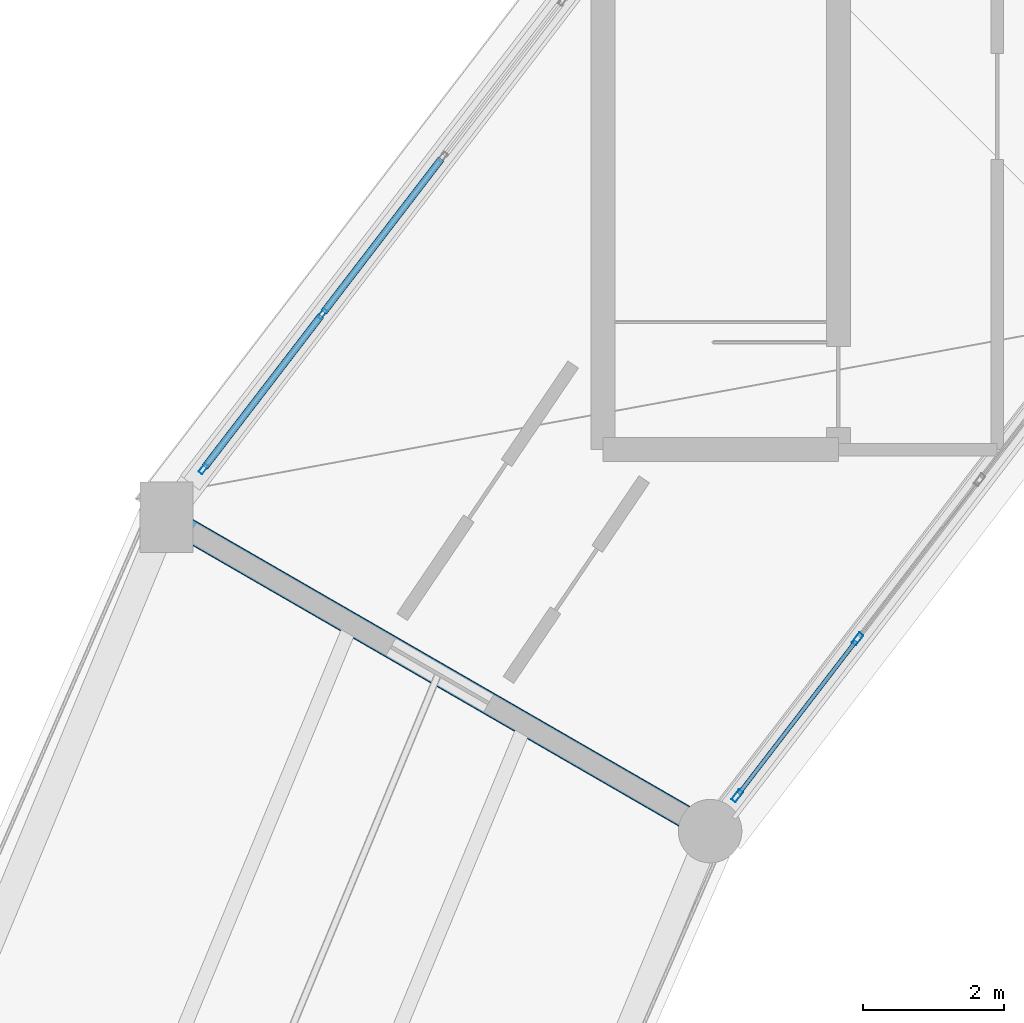
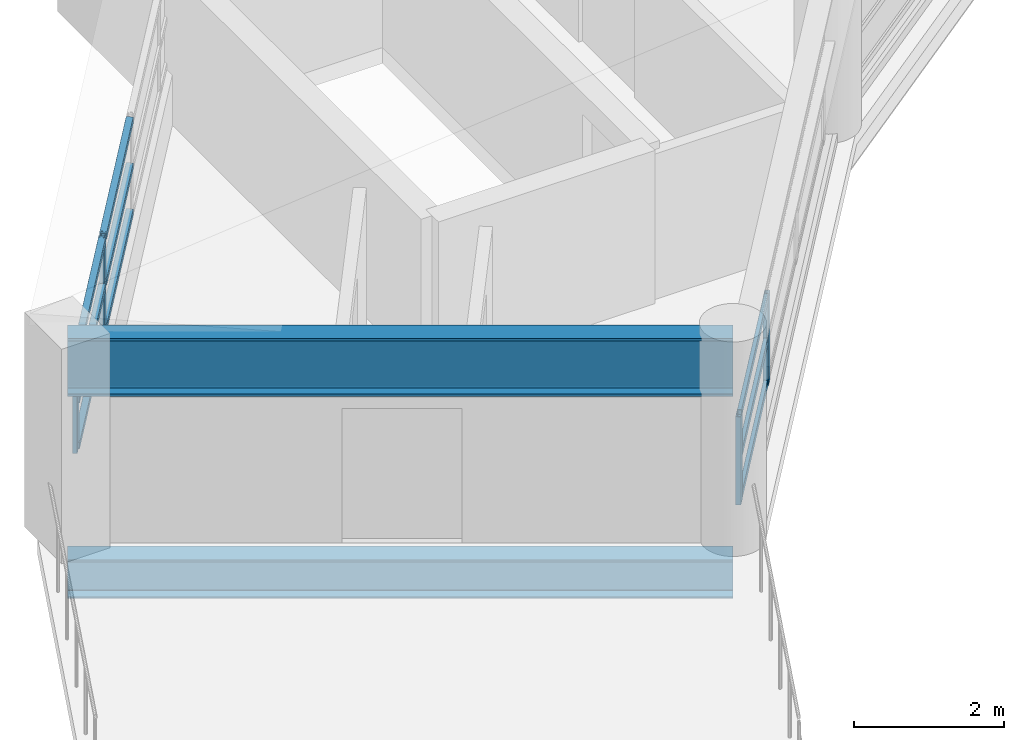
# One storey, part 2 of 12: 13 members, 2 beams, 2 elements without a shape of their own.
"""IFC4 building model written with IfcOpenShell, lengths in metres."""

import ifcopenshell
import ifcopenshell.guid

model = None  # the IFC model being written
_history = None  # IfcOwnerHistory: only IFC2X3 demands one
_inside = {}  # id of a spatial element -> (the spatial element, [elements in it])
_under = {}  # id of a project, library or spatial element -> (it, [spatial elements below it])
_declared = {}  # id of a project -> (the project, [libraries it declares])
_typed = {}  # id of a type object -> (the type object, [elements of that type])
_made_of = {}  # id of a material, layer set ... -> (it, [elements and type objects made of it])


def new_model(schema):
    """Start an empty IFC model of exactly this schema.

    Asked for "IFC4X3", IfcOpenShell would pick the latest addendum, in which some entities
    have other attributes; the version numbers below select the first issue.
    IFC2X3 requires an IfcOwnerHistory on every rooted entity: one is made here for all.
    """
    global model, _history
    if schema == "IFC4X3":
        model = ifcopenshell.file(schema_version=(4, 3, 0, 0))
    else:
        model = ifcopenshell.file(schema=schema)
    _inside.clear()
    _under.clear()
    _declared.clear()
    _typed.clear()
    _made_of.clear()
    _history = None
    if model.schema == "IFC2X3":
        org = make("IfcOrganization", Name="unknown")
        user = make(
            "IfcPersonAndOrganization",
            ThePerson=make("IfcPerson", FamilyName="unknown"),
            TheOrganization=org,
        )
        app = make(
            "IfcApplication",
            ApplicationDeveloper=org,
            Version="unknown",
            ApplicationFullName="unknown",
            ApplicationIdentifier="unknown",
        )
        _history = make(
            "IfcOwnerHistory",
            OwningUser=user,
            OwningApplication=app,
            ChangeAction="ADDED",
            CreationDate=0,
        )
    return model


def make(cls, **values):
    """One entity of the class cls with the attributes given. An attribute that is None is left unset."""
    return model.create_entity(
        cls, **{name: value for name, value in values.items() if value is not None}
    )


def rooted(cls, **values):
    """An entity with a GlobalId (a new one), such as an element, a storey or a relation."""
    return make(cls, GlobalId=ifcopenshell.guid.new(), OwnerHistory=_history, **values)


def si_unit(unit_type, name, prefix=None):
    """IfcSIUnit, for example si_unit("LENGTHUNIT", "METRE", prefix="MILLI")."""
    return make("IfcSIUnit", UnitType=unit_type, Prefix=prefix, Name=name)


def assignment(units):
    """IfcUnitAssignment: the units of a project."""
    return None if units is None else make("IfcUnitAssignment", Units=units)


def point(xyz):
    """IfcCartesianPoint."""
    return None if xyz is None else make("IfcCartesianPoint", Coordinates=xyz)


def direction(xyz):
    """IfcDirection."""
    return None if xyz is None else make("IfcDirection", DirectionRatios=xyz)


def frame(location, z_axis=None, x_axis=None):
    """IfcAxis2Placement3D, a coordinate frame: its origin and axes. An axis left out is left unset."""
    return make(
        "IfcAxis2Placement3D",
        Location=point(location),
        Axis=direction(z_axis),
        RefDirection=direction(x_axis),
    )


def frame_2d(location, x_axis=None):
    """IfcAxis2Placement2D, a coordinate frame in the plane: its origin and x axis."""
    return make(
        "IfcAxis2Placement2D", Location=point(location), RefDirection=direction(x_axis)
    )


def origin():
    """The frame at (0, 0, 0) with its axes left unset."""
    return frame((0.0, 0.0, 0.0))


def origin_2d():
    """The frame at (0, 0) in the plane with its x axis left unset."""
    return frame_2d((0.0, 0.0))


def place(relative_to, where):
    """IfcLocalPlacement: puts the frame where relative to a parent placement (None: the world)."""
    return make(
        "IfcLocalPlacement", PlacementRelTo=relative_to, RelativePlacement=where
    )


def context(
    kind, dimensions, precision=None, world=None, true_north=None, identifier=None
):
    """IfcGeometricRepresentationContext, for example the 3D "Model" context."""
    return make(
        "IfcGeometricRepresentationContext",
        ContextIdentifier=identifier,
        ContextType=kind,
        CoordinateSpaceDimension=dimensions,
        Precision=precision,
        WorldCoordinateSystem=world,
        TrueNorth=true_north,
    )


def subcontext(parent, identifier, kind, view, scale=None):
    """IfcGeometricRepresentationSubContext, for example "Body" below "Model"."""
    return make(
        "IfcGeometricRepresentationSubContext",
        ContextIdentifier=identifier,
        ContextType=kind,
        ParentContext=parent,
        TargetScale=scale,
        TargetView=view,
    )


def project(units=None, contexts=None):
    """IfcProject with its units and contexts."""
    return rooted(
        "IfcProject",
        Name="project",
        RepresentationContexts=contexts,
        UnitsInContext=assignment(units),
    )


def spatial(cls, under=None, at=None, **own):
    """A site, building, storey or space (cls), placed at a placement, below another one or the project."""
    s = rooted(cls, ObjectPlacement=at, **own)
    if under is not None:
        _under.setdefault(under.id(), (under, []))[1].append(s)
    return s


def profile(cls, at=None, kind="AREA", **sizes):
    """A parametric profile (cls). Its sizes go by their IFC names, for example OverallWidth=200.0."""
    return make(cls, ProfileType=kind, Position=at, **sizes)


def hollow_rectangle(**sizes):
    """IfcRectangleHollowProfileDef."""
    return profile("IfcRectangleHollowProfileDef", **sizes)


def i_section(**sizes):
    """IfcIShapeProfileDef."""
    return profile("IfcIShapeProfileDef", **sizes)


def extrude(swept, where, along, depth):
    """IfcExtrudedAreaSolid: the profile swept, set in the frame where, extruded along a direction by depth."""
    return make(
        "IfcExtrudedAreaSolid",
        SweptArea=swept,
        Position=where,
        ExtrudedDirection=direction(along),
        Depth=depth,
    )


def shape(context_of_items, identifier, shape_type, items):
    """IfcShapeRepresentation: the items that make up one representation, for example the "Body"."""
    return make(
        "IfcShapeRepresentation",
        ContextOfItems=context_of_items,
        RepresentationIdentifier=identifier,
        RepresentationType=shape_type,
        Items=items,
    )


def material(Name=None, Category=None):
    """IfcMaterial."""
    return make("IfcMaterial", Name=Name, Category=Category)


def layer(
    of_material, thickness, ventilated=None, Name=None, Category=None, Priority=None
):
    """IfcMaterialLayer: one layer of a wall or slab, of a material (None: an air gap)."""
    return make(
        "IfcMaterialLayer",
        Material=of_material,
        LayerThickness=thickness,
        IsVentilated=ventilated,
        Name=Name,
        Category=Category,
        Priority=Priority,
    )


def layer_set(layers, Name=None):
    """IfcMaterialLayerSet."""
    return make("IfcMaterialLayerSet", MaterialLayers=layers, LayerSetName=Name)


def material_profile(
    of_material, cross_section, Name=None, Category=None, Priority=None
):
    """IfcMaterialProfile: a cross section and its material."""
    return make(
        "IfcMaterialProfile",
        Name=Name,
        Material=of_material,
        Profile=cross_section,
        Priority=Priority,
        Category=Category,
    )


def profile_set(profiles, Name=None, composite=None):
    """IfcMaterialProfileSet."""
    return make(
        "IfcMaterialProfileSet",
        Name=Name,
        MaterialProfiles=profiles,
        CompositeProfile=composite,
    )


def made_of(thing, what):
    """Note that an element or type object is made of a material, layer set ...; save() writes the relation."""
    if what is not None:
        _made_of.setdefault(what.id(), (what, []))[1].append(thing)
    return thing


def type_object(cls, material=None, **own):
    """A type object (cls), such as IfcWallType, which elements share."""
    return made_of(rooted(cls, **own), material)


def element(
    cls,
    number,
    at=None,
    inside=None,
    cuts=None,
    type_object=None,
    material=None,
    context=None,
    identifier="Body",
    shape_type=None,
    held_by="IfcProductDefinitionShape",
    body=None,
    shapes=None,
    **own,
):
    """One element of the class cls, such as IfcWall. Its Tag is "e" and its number.

    at: its placement. inside: the storey or other place that contains it. cuts: it is an
    opening in that element (IfcRelVoidsElement). A single representation is given by context,
    identifier, shape_type and body (its items); several are given by shapes. held_by: the class
    of the entity that holds the representations. save() writes the other relations.
    """
    e = rooted(cls, Tag="e%d" % number, ObjectPlacement=at, **own)
    if body is not None:
        shapes = [shape(context, identifier, shape_type, body)]
    if shapes is not None:
        e.Representation = make(held_by, Representations=shapes)
    if inside is not None:
        _inside.setdefault(inside.id(), (inside, []))[1].append(e)
    if cuts is not None:
        rooted(
            "IfcRelVoidsElement", RelatingBuildingElement=cuts, RelatedOpeningElement=e
        )
    if type_object is not None:
        _typed.setdefault(type_object.id(), (type_object, []))[1].append(e)
    return made_of(e, material)


def aggregate(whole, parts):
    """IfcRelAggregates: a whole, such as a stair, and the parts it consists of."""
    return rooted("IfcRelAggregates", RelatingObject=whole, RelatedObjects=parts)


def save(model, path):
    """Write the relations noted so far, then the file.

    IfcRelAggregates (storeys below a building ...), IfcRelContainedInSpatialStructure (elements
    in a storey), IfcRelDefinesByType, IfcRelAssociatesMaterial and IfcRelDeclares: one each for
    every whole, place, type object, material and project.
    """
    for whole, parts in _under.values():
        aggregate(whole, parts)
    for where, things in _inside.values():
        rooted(
            "IfcRelContainedInSpatialStructure",
            RelatedElements=things,
            RelatingStructure=where,
        )
    for kind, things in _typed.values():
        rooted("IfcRelDefinesByType", RelatedObjects=things, RelatingType=kind)
    for what, things in _made_of.values():
        rooted("IfcRelAssociatesMaterial", RelatedObjects=things, RelatingMaterial=what)
    for by, libraries in _declared.values():
        rooted("IfcRelDeclares", RelatingContext=by, RelatedDefinitions=libraries)
    model.write(path)


model = new_model("IFC4")

# Units and contexts
model_context = context("Model", 3, precision=1e-05, world=origin(), true_north=direction((0.0, 1.0)))
body_context = subcontext(model_context, "Body", "Model", "MODEL_VIEW")
ifc_project = project(units=[si_unit("LENGTHUNIT", "METRE"), si_unit("AREAUNIT", "SQUARE_METRE"), si_unit("VOLUMEUNIT", "CUBIC_METRE"), si_unit("PLANEANGLEUNIT", "RADIAN"), si_unit("MASSUNIT", "GRAM", prefix="KILO")], contexts=[model_context])

# Site, building, storey
site_placement = place(None, origin())
site = spatial("IfcSite", under=ifc_project, at=site_placement, CompositionType="ELEMENT")
building_placement = place(site_placement, origin())
building = spatial("IfcBuilding", under=site, at=building_placement, Name="Vespera Passage Community Centre", CompositionType="ELEMENT")
storey_placement = place(building_placement, frame((0.0, 0.0, 24.300048828125)))
storey = spatial("IfcBuildingStorey", under=building, at=storey_placement, Name="ROOF", CompositionType="ELEMENT", Elevation=24.300048828125)

# Beam
ifc_material_1 = material(Name="Steel ASTM A992 Grade 50", Category="steel")
ifc_material_profile_1 = material_profile(ifc_material_1, i_section(OverallWidth=0.32763671875, OverallDepth=0.62841796875, WebThickness=0.0166015625, FlangeThickness=0.027587890625, FilletRadius=0.0126953125, at=origin_2d()), Name="W24X146")
ifc_profile_set_1 = profile_set([ifc_material_profile_1], Name="Steel ASTM A992 Grade 50")
beam_type_1 = type_object("IfcBeamType", Name="BM-G-W24X146", PredefinedType="BEAM", material=ifc_profile_set_1)
beam_1_placement = place(storey_placement, frame((45.783935546875, 84.10009765625, -0.57421875), z_axis=(-0.866031643847, 0.499989191739, 0.0), x_axis=(-0.499989191739, -0.866031643847, 0.0)))
element("IfcBeam", 1, at=beam_1_placement, inside=storey, type_object=beam_type_1, Name="V4 ROOF Radial Girder 10", PredefinedType="BEAM", context=body_context, shape_type="SweptSolid", body=[
    extrude(i_section(OverallWidth=0.32763671875, OverallDepth=0.62841796875, WebThickness=0.0166015625, FlangeThickness=0.027587890625, FilletRadius=0.0126953125, at=origin_2d()), origin(), (0.0, 0.0, 1.0), 8.900146484375),
])

# Curtain wall, members
ifc_material_2 = material(Name="Anodized aluminium 6063-T6", Category="aluminium")
ifc_layer_1 = layer(ifc_material_2, 0.159912109375)
ifc_layer_set_1 = layer_set([ifc_layer_1], Name="Anodized aluminium 6063-T6")
curtain_wall_type_1 = type_object("IfcCurtainWallType", Name="CW-81E", PredefinedType="NOTDEFINED", material=ifc_layer_set_1)
curtain_wall_1_placement = place(storey_placement, origin())
curtain_wall_1 = element("IfcCurtainWall", 2, at=curtain_wall_1_placement, inside=storey, type_object=curtain_wall_type_1, Name="V4 ROOF Outer Ribbon Curtain Wall 9", PredefinedType="NOTDEFINED")
ifc_material_3 = material(Name="Anodized aluminium 6063-T6", Category="aluminium")
ifc_material_profile_2 = material_profile(ifc_material_3, hollow_rectangle(XDim=0.06494140625, YDim=0.14990234375, WallThickness=0.00390625, InnerFilletRadius=0.001953125, OuterFilletRadius=0.00390625, at=origin_2d()), Name="ALU150X65X4")
ifc_profile_set_2 = profile_set([ifc_material_profile_2], Name="Anodized aluminium 6063-T6")
member_type_1 = type_object("IfcMemberType", Name="MB-CWM-150E", PredefinedType="MULLION", material=ifc_profile_set_2)
member_1_placement = place(storey_placement, frame((38.601806640625, 89.235107421875, 0.820068359375), z_axis=(0.0, 0.0, 1.0), x_axis=(-0.793350429062, 0.608765222978, 0.0)))
member_1 = element("IfcMember", 3, at=member_1_placement, type_object=member_type_1, Name="CW-81E mullion 1", PredefinedType="MULLION", context=body_context, shape_type="SweptSolid", body=[
    extrude(hollow_rectangle(XDim=0.06494140625, YDim=0.14990234375, WallThickness=0.00390625, InnerFilletRadius=0.001953125, OuterFilletRadius=0.00390625, at=origin_2d()), origin(), (0.0, 0.0, 1.0), 1.599853515625),
])
member_2_placement = place(storey_placement, frame((40.287109375, 91.431396484375, 0.820068359375), z_axis=(0.0, 0.0, 1.0), x_axis=(-0.793350429062, 0.608765222978, 0.0)))
member_2 = element("IfcMember", 4, at=member_2_placement, type_object=member_type_1, Name="CW-81E mullion 2", PredefinedType="MULLION", context=body_context, shape_type="SweptSolid", body=[
    extrude(hollow_rectangle(XDim=0.06494140625, YDim=0.14990234375, WallThickness=0.00390625, InnerFilletRadius=0.001953125, OuterFilletRadius=0.00390625, at=origin_2d()), origin(), (0.0, 0.0, 1.0), 1.599853515625),
])

ifc_material_4 = material(Name="Anodized aluminium 6063-T6", Category="aluminium")
ifc_layer_2 = layer(ifc_material_4, 0.159912109375)
ifc_layer_set_2 = layer_set([ifc_layer_2], Name="Anodized aluminium 6063-T6")
curtain_wall_type_2 = type_object("IfcCurtainWallType", Name="CW-82E", PredefinedType="NOTDEFINED", material=ifc_layer_set_2)
curtain_wall_2_placement = place(storey_placement, origin())
curtain_wall_2 = element("IfcCurtainWall", 5, at=curtain_wall_2_placement, inside=storey, type_object=curtain_wall_type_2, Name="V4 ROOF Inner Court Curtain Wall 9", PredefinedType="NOTDEFINED")
ifc_material_5 = material(Name="Anodized aluminium 6063-T6", Category="aluminium")
ifc_material_profile_3 = material_profile(ifc_material_5, hollow_rectangle(XDim=0.074951171875, YDim=0.179931640625, WallThickness=0.0048828125, InnerFilletRadius=0.00244140625, OuterFilletRadius=0.0048828125, at=origin_2d()), Name="ALU180X75X5")
ifc_profile_set_3 = profile_set([ifc_material_profile_3], Name="Anodized aluminium 6063-T6")
member_type_2 = type_object("IfcMemberType", Name="MB-CWM-180E", PredefinedType="MULLION", material=ifc_profile_set_3)
member_3_placement = place(storey_placement, frame((47.874755859375, 86.824951171875, 0.14990234375), z_axis=(0.0, 0.0, 1.0), x_axis=(0.793358205999, -0.608755087843, 0.0)))
member_3 = element("IfcMember", 6, at=member_3_placement, type_object=member_type_2, Name="CW-82E mullion 3", PredefinedType="MULLION", context=body_context, shape_type="SweptSolid", body=[
    extrude(hollow_rectangle(XDim=0.074951171875, YDim=0.179931640625, WallThickness=0.0048828125, InnerFilletRadius=0.00244140625, OuterFilletRadius=0.0048828125, at=origin_2d()), origin(), (0.0, 0.0, 1.0), 1.439697265625),
])
member_4_placement = place(storey_placement, frame((46.167724609375, 84.600341796875, 0.14990234375), z_axis=(0.0, 0.0, 1.0), x_axis=(0.793358205999, -0.608755087843, 0.0)))
member_4 = element("IfcMember", 7, at=member_4_placement, type_object=member_type_2, Name="CW-82E mullion 4", PredefinedType="MULLION", context=body_context, shape_type="SweptSolid", body=[
    extrude(hollow_rectangle(XDim=0.074951171875, YDim=0.179931640625, WallThickness=0.0048828125, InnerFilletRadius=0.00244140625, OuterFilletRadius=0.0048828125, at=origin_2d()), origin(), (0.0, 0.0, 1.0), 1.439697265625),
])

# Member
ifc_material_6 = material(Name="Anodized aluminium 6063-T6", Category="aluminium")
ifc_material_profile_4 = material_profile(ifc_material_6, hollow_rectangle(XDim=0.10009765625, YDim=0.10009765625, WallThickness=0.00390625, InnerFilletRadius=0.001953125, OuterFilletRadius=0.00390625, at=origin_2d()), Name="ALU100X100X4")
ifc_profile_set_4 = profile_set([ifc_material_profile_4], Name="Anodized aluminium 6063-T6")
member_type_3 = type_object("IfcMemberType", Name="MB-CWT-100E", PredefinedType="USERDEFINED", material=ifc_profile_set_4)
member_5_placement = place(storey_placement, frame((38.62158203125, 89.260986328125, 0.869873046875), z_axis=(0.608806888702, 0.793318455772, 0.0), x_axis=(-0.793318455772, 0.608806888702, 0.0)))
member_5 = element("IfcMember", 8, at=member_5_placement, type_object=member_type_3, Name="CW-81E transom 1.1", ObjectType="TRANSOM", PredefinedType="USERDEFINED", context=body_context, shape_type="SweptSolid", body=[
    extrude(hollow_rectangle(XDim=0.10009765625, YDim=0.10009765625, WallThickness=0.00390625, InnerFilletRadius=0.001953125, OuterFilletRadius=0.00390625, at=origin_2d()), origin(), (0.0, 0.0, 1.0), 2.703125),
])

member_6_placement = place(storey_placement, frame((38.62158203125, 89.260986328125, 1.619873046875), z_axis=(0.608806888702, 0.793318455772, 0.0), x_axis=(-0.793318455772, 0.608806888702, 0.0)))
member_6 = element("IfcMember", 9, at=member_6_placement, type_object=member_type_3, Name="CW-81E transom 1.2", ObjectType="TRANSOM", PredefinedType="USERDEFINED", context=body_context, shape_type="SweptSolid", body=[
    extrude(hollow_rectangle(XDim=0.10009765625, YDim=0.10009765625, WallThickness=0.00390625, InnerFilletRadius=0.001953125, OuterFilletRadius=0.00390625, at=origin_2d()), origin(), (0.0, 0.0, 1.0), 2.703125),
])

member_7_placement = place(storey_placement, frame((38.62158203125, 89.260986328125, 2.369873046875), z_axis=(0.608806888702, 0.793318455772, 0.0), x_axis=(-0.793318455772, 0.608806888702, 0.0)))
member_7 = element("IfcMember", 10, at=member_7_placement, type_object=member_type_3, Name="CW-81E transom 1.3", ObjectType="TRANSOM", PredefinedType="USERDEFINED", context=body_context, shape_type="SweptSolid", body=[
    extrude(hollow_rectangle(XDim=0.10009765625, YDim=0.10009765625, WallThickness=0.00390625, InnerFilletRadius=0.001953125, OuterFilletRadius=0.00390625, at=origin_2d()), origin(), (0.0, 0.0, 1.0), 2.703125),
])

member_8_placement = place(storey_placement, frame((40.306884765625, 91.457275390625, 0.869873046875), z_axis=(0.608787438682, 0.793333381689, 0.0), x_axis=(-0.793333381689, 0.608787438682, 0.0)))
member_8 = element("IfcMember", 11, at=member_8_placement, type_object=member_type_3, Name="CW-81E transom 2.1", ObjectType="TRANSOM", PredefinedType="USERDEFINED", context=body_context, shape_type="SweptSolid", body=[
    extrude(hollow_rectangle(XDim=0.10009765625, YDim=0.10009765625, WallThickness=0.00390625, InnerFilletRadius=0.001953125, OuterFilletRadius=0.00390625, at=origin_2d()), origin(), (0.0, 0.0, 1.0), 2.73583984375),
])

member_9_placement = place(storey_placement, frame((40.306884765625, 91.457275390625, 1.619873046875), z_axis=(0.608787438682, 0.793333381689, 0.0), x_axis=(-0.793333381689, 0.608787438682, 0.0)))
member_9 = element("IfcMember", 12, at=member_9_placement, type_object=member_type_3, Name="CW-81E transom 2.2", ObjectType="TRANSOM", PredefinedType="USERDEFINED", context=body_context, shape_type="SweptSolid", body=[
    extrude(hollow_rectangle(XDim=0.10009765625, YDim=0.10009765625, WallThickness=0.00390625, InnerFilletRadius=0.001953125, OuterFilletRadius=0.00390625, at=origin_2d()), origin(), (0.0, 0.0, 1.0), 2.73583984375),
])

member_10_placement = place(storey_placement, frame((40.306884765625, 91.457275390625, 2.369873046875), z_axis=(0.608787438682, 0.793333381689, 0.0), x_axis=(-0.793333381689, 0.608787438682, 0.0)))
member_10 = element("IfcMember", 13, at=member_10_placement, type_object=member_type_3, Name="CW-81E transom 2.3", ObjectType="TRANSOM", PredefinedType="USERDEFINED", context=body_context, shape_type="SweptSolid", body=[
    extrude(hollow_rectangle(XDim=0.10009765625, YDim=0.10009765625, WallThickness=0.00390625, InnerFilletRadius=0.001953125, OuterFilletRadius=0.00390625, at=origin_2d()), origin(), (0.0, 0.0, 1.0), 2.73583984375),
])

aggregate(curtain_wall_1, [member_1, member_2, member_5, member_6, member_7, member_8, member_9, member_10])

ifc_material_7 = material(Name="Anodized aluminium 6063-T6", Category="aluminium")
ifc_material_profile_5 = material_profile(ifc_material_7, hollow_rectangle(XDim=0.06005859375, YDim=0.1201171875, WallThickness=0.00390625, InnerFilletRadius=0.001953125, OuterFilletRadius=0.00390625, at=origin_2d()), Name="ALU120X60X4")
ifc_profile_set_5 = profile_set([ifc_material_profile_5], Name="Anodized aluminium 6063-T6")
member_type_4 = type_object("IfcMemberType", Name="MB-CWT-120E", PredefinedType="USERDEFINED", material=ifc_profile_set_5)
member_11_placement = place(storey_placement, frame((47.85205078125, 86.795166015625, 0.179931640625), z_axis=(-0.608780813839, -0.793338465411, 0.0), x_axis=(0.793338465411, -0.608780813839, 0.0)))
member_11 = element("IfcMember", 14, at=member_11_placement, type_object=member_type_4, Name="CW-82E transom 3.1", ObjectType="TRANSOM", PredefinedType="USERDEFINED", context=body_context, shape_type="SweptSolid", body=[
    extrude(hollow_rectangle(XDim=0.06005859375, YDim=0.1201171875, WallThickness=0.00390625, InnerFilletRadius=0.001953125, OuterFilletRadius=0.00390625, at=origin_2d()), origin(), (0.0, 0.0, 1.0), 2.72900390625),
])

member_12_placement = place(storey_placement, frame((47.85205078125, 86.795166015625, 0.869873046875), z_axis=(-0.608780813839, -0.793338465411, 0.0), x_axis=(0.793338465411, -0.608780813839, 0.0)))
member_12 = element("IfcMember", 15, at=member_12_placement, type_object=member_type_4, Name="CW-82E transom 3.2", ObjectType="TRANSOM", PredefinedType="USERDEFINED", context=body_context, shape_type="SweptSolid", body=[
    extrude(hollow_rectangle(XDim=0.06005859375, YDim=0.1201171875, WallThickness=0.00390625, InnerFilletRadius=0.001953125, OuterFilletRadius=0.00390625, at=origin_2d()), origin(), (0.0, 0.0, 1.0), 2.72900390625),
])

member_13_placement = place(storey_placement, frame((47.85205078125, 86.795166015625, 1.5595703125), z_axis=(-0.608780813839, -0.793338465411, 0.0), x_axis=(0.793338465411, -0.608780813839, 0.0)))
member_13 = element("IfcMember", 16, at=member_13_placement, type_object=member_type_4, Name="CW-82E transom 3.3", ObjectType="TRANSOM", PredefinedType="USERDEFINED", context=body_context, shape_type="SweptSolid", body=[
    extrude(hollow_rectangle(XDim=0.06005859375, YDim=0.1201171875, WallThickness=0.00390625, InnerFilletRadius=0.001953125, OuterFilletRadius=0.00390625, at=origin_2d()), origin(), (0.0, 0.0, 1.0), 2.72900390625),
])

aggregate(curtain_wall_2, [member_3, member_4, member_11, member_12, member_13])

# Beam
ifc_material_8 = material(Name="Steel ASTM A992 Grade 50", Category="steel")
ifc_material_profile_6 = material_profile(ifc_material_8, i_section(OverallWidth=0.310302734375, OverallDepth=0.950439453125, WebThickness=0.0244140625, FlangeThickness=0.0439453125, FilletRadius=0.024169921875, at=origin_2d()), Name="W36X256")
ifc_profile_set_6 = profile_set([ifc_material_profile_6], Name="Steel ASTM A992 Grade 50")
beam_type_2 = type_object("IfcBeamType", Name="TG-256", PredefinedType="USERDEFINED", material=ifc_profile_set_6)
beam_2_placement = place(storey_placement, frame((45.783935546875, 84.10009765625, 2.8798828125), z_axis=(-0.866031643847, 0.499989191739, 0.0), x_axis=(-0.499989191739, -0.866031643847, 0.0)))
element("IfcBeam", 17, at=beam_2_placement, inside=storey, type_object=beam_type_2, Name="ROOF Belvedere Radial Rafter Girder 10", ObjectType="TRANSFER GIRDER", PredefinedType="USERDEFINED", context=body_context, shape_type="SweptSolid", body=[
    extrude(i_section(OverallWidth=0.310302734375, OverallDepth=0.950439453125, WebThickness=0.0244140625, FlangeThickness=0.0439453125, FilletRadius=0.024169921875, at=origin_2d()), origin(), (0.0, 0.0, 1.0), 8.900146484375),
])

save(model, "model.ifc")
